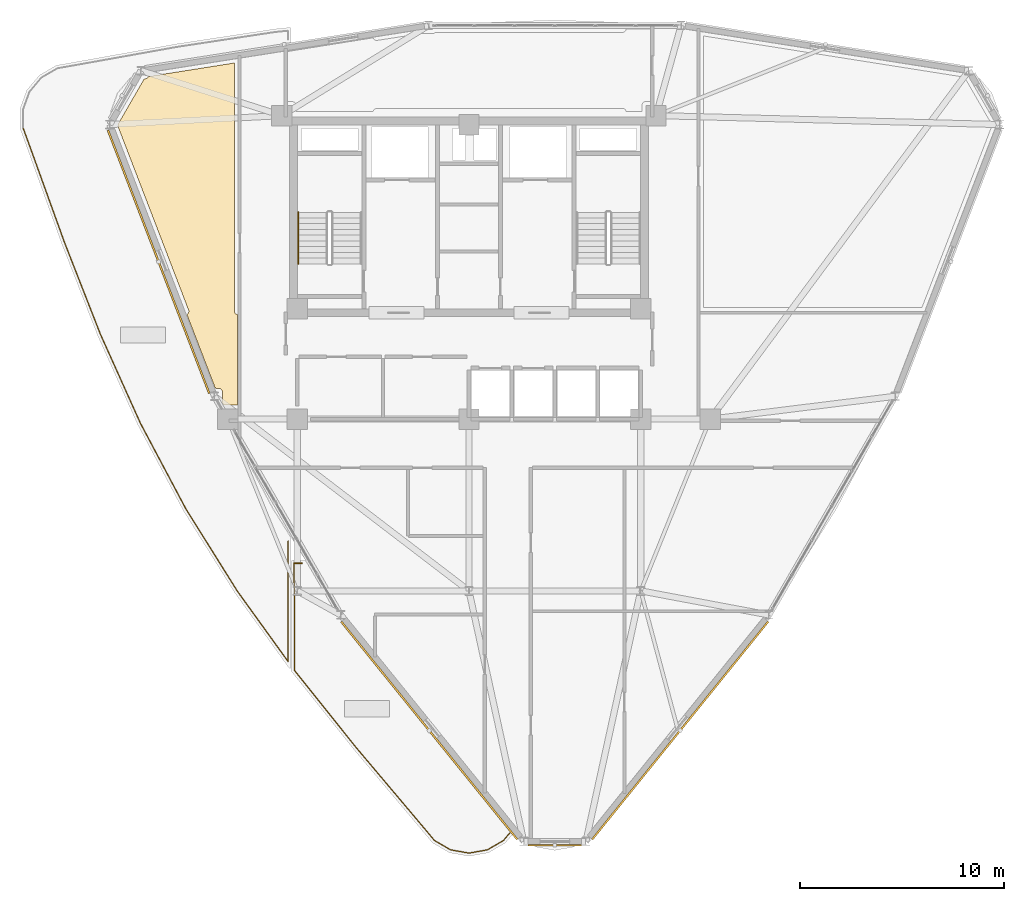
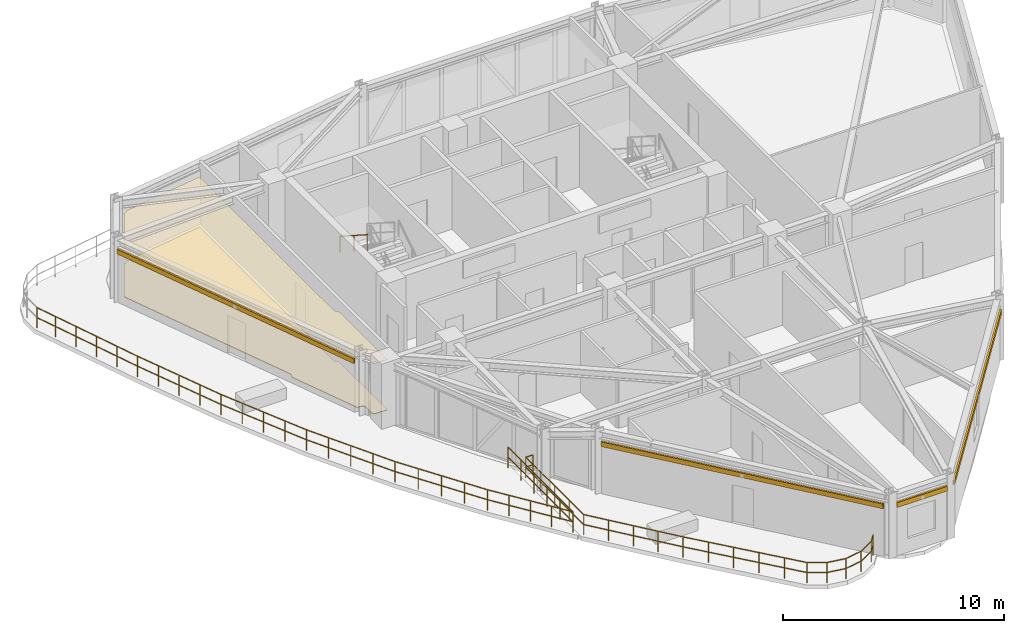
# One storey, part 17 of 19: 4 railings, 4 shading devices, 2 coverings.
"""IFC4 building model written with IfcOpenShell, lengths in metres."""

from ifc_helpers import new_model, si_unit, derived_unit, direction, frame, origin, origin_2d, place, context, subcontext, project, spatial, polyline, hollow_rectangle, circle, outline, extrude, source, transform, mapped, material, layer, layer_set, material_profile, profile_set, type_object, element, save


model = new_model("IFC4")

# Units and contexts
model_context = context("Model", 3, precision=1e-05, world=origin(), true_north=direction((0.0, 1.0)))
body_context = subcontext(model_context, "Body", "Model", "MODEL_VIEW")
ifc_project = project(units=[si_unit("LENGTHUNIT", "METRE"), si_unit("AREAUNIT", "SQUARE_METRE"), si_unit("VOLUMEUNIT", "CUBIC_METRE"), si_unit("PLANEANGLEUNIT", "RADIAN"), si_unit("MASSUNIT", "GRAM", prefix="KILO"), derived_unit("THERMALTRANSMITTANCEUNIT", [(si_unit("POWERUNIT", "WATT"), 1), (si_unit("LENGTHUNIT", "METRE"), -2), (si_unit("THERMODYNAMICTEMPERATUREUNIT", "KELVIN"), -1)])], contexts=[model_context])

# Site, building, storey
site_placement = place(None, origin())
site = spatial("IfcSite", under=ifc_project, at=site_placement, CompositionType="ELEMENT")
building_placement = place(site_placement, origin())
building = spatial("IfcBuilding", under=site, at=building_placement, Name="Korsvarv Bourse and Concert Hall", CompositionType="ELEMENT")
storey_placement = place(building_placement, frame((0.0, 0.0, 205.800048828125)))
storey = spatial("IfcBuildingStorey", under=building, at=storey_placement, Name="L53", CompositionType="ELEMENT", Elevation=205.800048828125)

# Coverings
ifc_material_1 = material(Name="Perforated mineral-wool and birch acoustic baffle ceiling", Category="wood")
ifc_layer_1 = layer(ifc_material_1, 0.02490234375)
ifc_layer_set_1 = layer_set([ifc_layer_1], Name="Perforated mineral-wool and birch acoustic baffle ceiling")
covering_type_1 = type_object("IfcCoveringType", Name="COV-CEIL-1", PredefinedType="CEILING", material=ifc_layer_set_1)
covering_1_placement = place(storey_placement, frame((0.0, 0.0, 2.7900390625)))
element("IfcCovering", 1, at=covering_1_placement, inside=storey, type_object=covering_type_1, Name="L53 acoustic baffle ceiling 3", PredefinedType="CEILING", context=body_context, shape_type="SweptSolid", body=[
    extrude(outline(polyline([(24.52001953125, 49.822509765625), (24.52001953125, 37.68994140625), (24.523681640625, 37.65380859375), (24.53466796875, 37.618896484375), (24.55224609375, 37.587158203125), (24.575927734375, 37.5595703125), (24.604736328125, 37.537353515625), (24.637451171875, 37.521240234375), (24.672607421875, 37.51220703125), (24.679931640625, 33.080322265625), (24.004150390625, 33.088623046875), (23.919189453125, 33.236083984375), (23.927001953125, 33.26171875), (23.93115234375, 33.296142578125), (23.941162109375, 33.72216796875), (23.938720703125, 33.757080078125), (23.92919921875, 33.790771484375), (23.91357421875, 33.822265625), (23.89208984375, 33.849853515625), (23.865478515625, 33.872802734375), (23.835205078125, 33.890380859375), (23.802001953125, 33.901611328125), (23.767333984375, 33.90625), (23.589599609375, 33.912109375), (22.2001953125, 37.52001953125), (22.22119140625, 37.533203125), (22.248046875, 37.557373046875), (22.269287109375, 37.58642578125), (22.284423828125, 37.618896484375), (22.29296875, 37.654052734375), (22.294189453125, 37.690185546875), (22.2880859375, 37.7255859375), (18.822998046875, 46.73681640625), (18.822998046875, 46.81201171875), (20.11474609375, 49.0498046875), (20.15478515625, 49.0498046875), (20.189697265625, 49.05322265625), (20.22314453125, 49.063232421875), (20.254150390625, 49.07958984375), (20.28125, 49.1015625), (20.3037109375, 49.12841796875), (20.320556640625, 49.1591796875), (24.52001953125, 49.822509765625)])), origin(), (0.0, 0.0, 1.0), 0.02490234375),
])
ifc_material_2 = material(Name="Calcium-sulphate raised access trading floor with Nordic oak top", Category="wood")
ifc_layer_2 = layer(ifc_material_2, 0.0400390625)
ifc_layer_set_2 = layer_set([ifc_layer_2], Name="Calcium-sulphate raised access trading floor with Nordic oak top")
covering_type_2 = type_object("IfcCoveringType", Name="COV-FLOR-1", PredefinedType="FLOORING", material=ifc_layer_set_2)
covering_2_placement = place(storey_placement, origin())
element("IfcCovering", 2, at=covering_2_placement, inside=storey, type_object=covering_type_2, Name="L53 raised access oak floor finish 3", PredefinedType="FLOORING", context=body_context, shape_type="SweptSolid", body=[
    extrude(outline(polyline([(24.52001953125, 49.822509765625), (24.52001953125, 37.68994140625), (24.523681640625, 37.65380859375), (24.53466796875, 37.618896484375), (24.55224609375, 37.587158203125), (24.575927734375, 37.5595703125), (24.604736328125, 37.537353515625), (24.637451171875, 37.521240234375), (24.672607421875, 37.51220703125), (24.679931640625, 33.080322265625), (24.004150390625, 33.088623046875), (23.919189453125, 33.236083984375), (23.927001953125, 33.26171875), (23.93115234375, 33.296142578125), (23.941162109375, 33.72216796875), (23.938720703125, 33.757080078125), (23.92919921875, 33.790771484375), (23.91357421875, 33.822265625), (23.89208984375, 33.849853515625), (23.865478515625, 33.872802734375), (23.835205078125, 33.890380859375), (23.802001953125, 33.901611328125), (23.767333984375, 33.90625), (23.589599609375, 33.912109375), (22.2001953125, 37.52001953125), (22.22119140625, 37.533203125), (22.248046875, 37.557373046875), (22.269287109375, 37.58642578125), (22.284423828125, 37.618896484375), (22.29296875, 37.654052734375), (22.294189453125, 37.690185546875), (22.2880859375, 37.7255859375), (18.822998046875, 46.73681640625), (18.822998046875, 46.81201171875), (20.11474609375, 49.0498046875), (20.15478515625, 49.0498046875), (20.189697265625, 49.05322265625), (20.22314453125, 49.063232421875), (20.254150390625, 49.07958984375), (20.28125, 49.1015625), (20.3037109375, 49.12841796875), (20.320556640625, 49.1591796875), (24.52001953125, 49.822509765625)])), origin(), (0.0, 0.0, 1.0), 0.0400390625),
])

# Railings
ifc_material_3 = material(Name="Laminated safety glass and stainless Steel S355 balustrade", Category="steel")
railing_type_1 = type_object("IfcRailingType", Name="RL-BAL-EXT", PredefinedType="BALUSTRADE", material=ifc_material_3)
railing_1_placement = place(storey_placement, frame((27.14990234375, 26.435546875, 0.0)))
element("IfcRailing", 3, at=railing_1_placement, inside=storey, type_object=railing_type_1, Name="L53 terrace perimeter balustrade SKYG1-2", PredefinedType="BALUSTRADE", context=body_context, shape_type="SweptSolid", body=[
    extrude(circle(Radius=0.02392578125, at=origin_2d()), frame((0.0, 0.0, 1.1259765625), z_axis=(0.0, -1.0, 0.0), x_axis=(1.0, 0.0, 0.0)), (0.0, 0.0, 1.0), 5.891845703125),
    extrude(circle(Radius=0.02392578125, at=origin_2d()), frame((0.0, 0.0, 0.574951171875), z_axis=(0.0, -1.0, 0.0), x_axis=(1.0, 0.0, 0.0)), (0.0, 0.0, 1.0), 5.891845703125),
    extrude(circle(Radius=0.02392578125, at=origin_2d()), frame((0.0, -5.891845703125, 1.1259765625), z_axis=(-0.584830634242, 0.811155428542, 0.0), x_axis=(-0.811155428542, -0.584830634242, 0.0)), (0.0, 0.0, 1.0), 4.24267578125),
    extrude(circle(Radius=0.02392578125, at=origin_2d()), frame((0.0, -5.891845703125, 0.574951171875), z_axis=(-0.584830634242, 0.811155428542, 0.0), x_axis=(-0.811155428542, -0.584830634242, 0.0)), (0.0, 0.0, 1.0), 4.24267578125),
    extrude(circle(Radius=0.02392578125, at=origin_2d()), frame((-2.481201171875, -2.450439453125, 1.1259765625), z_axis=(-0.530531018152, 0.847665522938, 0.0), x_axis=(-0.847665522938, -0.530531018152, 0.0)), (0.0, 0.0, 1.0), 4.7421875),
    extrude(circle(Radius=0.02392578125, at=origin_2d()), frame((-2.481201171875, -2.450439453125, 0.574951171875), z_axis=(-0.530531018152, 0.847665522938, 0.0), x_axis=(-0.847665522938, -0.530531018152, 0.0)), (0.0, 0.0, 1.0), 4.7421875),
    extrude(circle(Radius=0.02392578125, at=origin_2d()), frame((-4.9970703125, 1.5693359375, 1.1259765625), z_axis=(-0.468831420619, 0.883287664943, 0.0), x_axis=(-0.883287664943, -0.468831420619, 0.0)), (0.0, 0.0, 1.0), 4.741455078125),
    extrude(circle(Radius=0.02392578125, at=origin_2d()), frame((-4.9970703125, 1.5693359375, 0.574951171875), z_axis=(-0.468831420619, 0.883287664943, 0.0), x_axis=(-0.883287664943, -0.468831420619, 0.0)), (0.0, 0.0, 1.0), 4.741455078125),
    extrude(circle(Radius=0.02392578125, at=origin_2d()), frame((-7.219970703125, 5.75732421875, 1.1259765625), z_axis=(-0.410045608175, 0.912065019182, 0.0), x_axis=(-0.912065019182, -0.410045608175, 0.0)), (0.0, 0.0, 1.0), 4.772705078125),
    extrude(circle(Radius=0.02392578125, at=origin_2d()), frame((-7.219970703125, 5.75732421875, 0.574951171875), z_axis=(-0.410045608175, 0.912065019182, 0.0), x_axis=(-0.912065019182, -0.410045608175, 0.0)), (0.0, 0.0, 1.0), 4.772705078125),
    extrude(circle(Radius=0.02392578125, at=origin_2d()), frame((-9.177001953125, 10.1103515625, 1.1259765625), z_axis=(-0.364397442159, 0.931243525695, 0.0), x_axis=(-0.931243525695, -0.364397442159, 0.0)), (0.0, 0.0, 1.0), 4.82861328125),
    extrude(circle(Radius=0.02392578125, at=origin_2d()), frame((-9.177001953125, 10.1103515625, 0.574951171875), z_axis=(-0.364397442159, 0.931243525695, 0.0), x_axis=(-0.931243525695, -0.364397442159, 0.0)), (0.0, 0.0, 1.0), 4.82861328125),
    extrude(circle(Radius=0.02392578125, at=origin_2d()), frame((-10.9365234375, 14.60693359375, 1.1259765625), z_axis=(-0.339499027407, 0.940606405671, 0.0), x_axis=(-0.940606405671, -0.339499027407, 0.0)), (0.0, 0.0, 1.0), 4.86767578125),
    extrude(circle(Radius=0.02392578125, at=origin_2d()), frame((-10.9365234375, 14.60693359375, 0.574951171875), z_axis=(-0.339499027407, 0.940606405671, 0.0), x_axis=(-0.940606405671, -0.339499027407, 0.0)), (0.0, 0.0, 1.0), 4.86767578125),
    extrude(circle(Radius=0.02392578125, at=origin_2d()), frame((-12.589111328125, 19.185546875, 1.1259765625), z_axis=(-0.342065319248, 0.939676176865, 0.0), x_axis=(-0.939676176865, -0.342065319248, 0.0)), (0.0, 0.0, 1.0), 1.094970703125),
    extrude(circle(Radius=0.02392578125, at=origin_2d()), frame((-12.589111328125, 19.185546875, 0.574951171875), z_axis=(-0.342065319248, 0.939676176865, 0.0), x_axis=(-0.939676176865, -0.342065319248, 0.0)), (0.0, 0.0, 1.0), 1.094970703125),
    extrude(circle(Radius=0.02099609375, at=origin_2d()), origin(), (0.0, 0.0, 1.0), 1.101806640625),
    extrude(circle(Radius=0.02099609375, at=origin_2d()), frame((0.0, -1.178466796875, 0.0)), (0.0, 0.0, 1.0), 1.101806640625),
    extrude(circle(Radius=0.02099609375, at=origin_2d()), frame((0.0, -2.356689453125, 0.0)), (0.0, 0.0, 1.0), 1.101806640625),
    extrude(circle(Radius=0.02099609375, at=origin_2d()), frame((0.0, -3.53515625, 0.0)), (0.0, 0.0, 1.0), 1.101806640625),
    extrude(circle(Radius=0.02099609375, at=origin_2d()), frame((0.0, -4.71337890625, 0.0)), (0.0, 0.0, 1.0), 1.101806640625),
    extrude(circle(Radius=0.02099609375, at=origin_2d()), frame((0.0, -5.891845703125, 0.0)), (0.0, 0.0, 1.0), 1.101806640625),
    extrude(circle(Radius=0.02099609375, at=origin_2d()), frame((-0.620361328125, -5.031494140625, 0.0)), (0.0, 0.0, 1.0), 1.101806640625),
    extrude(circle(Radius=0.02099609375, at=origin_2d()), frame((-1.24072265625, -4.171142578125, 0.0)), (0.0, 0.0, 1.0), 1.101806640625),
    extrude(circle(Radius=0.02099609375, at=origin_2d()), frame((-1.86083984375, -3.310791015625, 0.0)), (0.0, 0.0, 1.0), 1.101806640625),
    extrude(circle(Radius=0.02099609375, at=origin_2d()), frame((-2.481201171875, -2.450439453125, 0.0)), (0.0, 0.0, 1.0), 1.101806640625),
    extrude(circle(Radius=0.02099609375, at=origin_2d()), frame((-3.110107421875, -1.445556640625, 0.0)), (0.0, 0.0, 1.0), 1.101806640625),
    extrude(circle(Radius=0.02099609375, at=origin_2d()), frame((-3.7392578125, -0.4404296875, 0.0)), (0.0, 0.0, 1.0), 1.101806640625),
    extrude(circle(Radius=0.02099609375, at=origin_2d()), frame((-4.3681640625, 0.564453125, 0.0)), (0.0, 0.0, 1.0), 1.101806640625),
    extrude(circle(Radius=0.02099609375, at=origin_2d()), frame((-4.9970703125, 1.5693359375, 0.0)), (0.0, 0.0, 1.0), 1.101806640625),
    extrude(circle(Radius=0.02099609375, at=origin_2d()), frame((-5.552734375, 2.6162109375, 0.0)), (0.0, 0.0, 1.0), 1.101806640625),
    extrude(circle(Radius=0.02099609375, at=origin_2d()), frame((-6.1083984375, 3.663330078125, 0.0)), (0.0, 0.0, 1.0), 1.101806640625),
    extrude(circle(Radius=0.02099609375, at=origin_2d()), frame((-6.664306640625, 4.71044921875, 0.0)), (0.0, 0.0, 1.0), 1.101806640625),
    extrude(circle(Radius=0.02099609375, at=origin_2d()), frame((-7.219970703125, 5.75732421875, 0.0)), (0.0, 0.0, 1.0), 1.101806640625),
    extrude(circle(Radius=0.02099609375, at=origin_2d()), frame((-7.709228515625, 6.845703125, 0.0)), (0.0, 0.0, 1.0), 1.101806640625),
    extrude(circle(Radius=0.02099609375, at=origin_2d()), frame((-8.198486328125, 7.933837890625, 0.0)), (0.0, 0.0, 1.0), 1.101806640625),
    extrude(circle(Radius=0.02099609375, at=origin_2d()), frame((-8.687744140625, 9.02197265625, 0.0)), (0.0, 0.0, 1.0), 1.101806640625),
    extrude(circle(Radius=0.02099609375, at=origin_2d()), frame((-9.177001953125, 10.1103515625, 0.0)), (0.0, 0.0, 1.0), 1.101806640625),
    extrude(circle(Radius=0.02099609375, at=origin_2d()), frame((-9.616943359375, 11.234375, 0.0)), (0.0, 0.0, 1.0), 1.101806640625),
    extrude(circle(Radius=0.02099609375, at=origin_2d()), frame((-10.056640625, 12.358642578125, 0.0)), (0.0, 0.0, 1.0), 1.101806640625),
    extrude(circle(Radius=0.02099609375, at=origin_2d()), frame((-10.49658203125, 13.48291015625, 0.0)), (0.0, 0.0, 1.0), 1.101806640625),
    extrude(circle(Radius=0.02099609375, at=origin_2d()), frame((-10.9365234375, 14.60693359375, 0.0)), (0.0, 0.0, 1.0), 1.101806640625),
    extrude(circle(Radius=0.02099609375, at=origin_2d()), frame((-11.349609375, 15.75146484375, 0.0)), (0.0, 0.0, 1.0), 1.101806640625),
    extrude(circle(Radius=0.02099609375, at=origin_2d()), frame((-11.7626953125, 16.896240234375, 0.0)), (0.0, 0.0, 1.0), 1.101806640625),
    extrude(circle(Radius=0.02099609375, at=origin_2d()), frame((-12.176025390625, 18.041015625, 0.0)), (0.0, 0.0, 1.0), 1.101806640625),
    extrude(circle(Radius=0.02099609375, at=origin_2d()), frame((-12.589111328125, 19.185546875, 0.0)), (0.0, 0.0, 1.0), 1.101806640625),
    extrude(circle(Radius=0.02099609375, at=origin_2d()), frame((-12.963623046875, 20.21435546875, 0.0)), (0.0, 0.0, 1.0), 1.101806640625),
])
railing_2_placement = place(storey_placement, frame((27.449951171875, 25.35009765625, 0.0)))
element("IfcRailing", 4, at=railing_2_placement, inside=storey, type_object=railing_type_1, Name="L53 terrace perimeter balustrade SKYG2-1", PredefinedType="BALUSTRADE", context=body_context, shape_type="SweptSolid", body=[
    extrude(circle(Radius=0.02392578125, at=origin_2d()), frame((0.0, 0.0, 1.1259765625), z_axis=(1.0, 0.0, 0.0), x_axis=(0.0, 1.0, 0.0)), (0.0, 0.0, 1.0), 0.379150390625),
    extrude(circle(Radius=0.02392578125, at=origin_2d()), frame((0.0, 0.0, 0.574951171875), z_axis=(1.0, 0.0, 0.0), x_axis=(0.0, 1.0, 0.0)), (0.0, 0.0, 1.0), 0.379150390625),
    extrude(circle(Radius=0.02099609375, at=origin_2d()), origin(), (0.0, 0.0, 1.0), 1.101806640625),
    extrude(circle(Radius=0.02099609375, at=origin_2d()), frame((0.379150390625, 0.0, 0.0)), (0.0, 0.0, 1.0), 1.101806640625),
])
railing_3_placement = place(storey_placement, frame((37.998779296875, 12.1591796875, 0.0)))
element("IfcRailing", 5, at=railing_3_placement, inside=storey, type_object=railing_type_1, Name="L53 terrace perimeter balustrade SKYG2-2", PredefinedType="BALUSTRADE", context=body_context, shape_type="SweptSolid", body=[
    extrude(circle(Radius=0.02392578125, at=origin_2d()), frame((0.0, 0.0, 1.1259765625), z_axis=(-0.642923423564, -0.765930461225, 0.0), x_axis=(0.765930461225, -0.642923423564, 0.0)), (0.0, 0.0, 1.0), 0.490234375),
    extrude(circle(Radius=0.02392578125, at=origin_2d()), frame((0.0, 0.0, 0.574951171875), z_axis=(-0.642923423564, -0.765930461225, 0.0), x_axis=(0.765930461225, -0.642923423564, 0.0)), (0.0, 0.0, 1.0), 0.490234375),
    extrude(circle(Radius=0.02392578125, at=origin_2d()), frame((-0.315185546875, -0.37548828125, 1.1259765625), z_axis=(-0.865970996668, -0.500094224052, 0.0), x_axis=(0.500094224052, -0.865970996668, 0.0)), (0.0, 0.0, 1.0), 0.909423828125),
    extrude(circle(Radius=0.02392578125, at=origin_2d()), frame((-0.315185546875, -0.37548828125, 0.574951171875), z_axis=(-0.865970996668, -0.500094224052, 0.0), x_axis=(0.500094224052, -0.865970996668, 0.0)), (0.0, 0.0, 1.0), 0.909423828125),
    extrude(circle(Radius=0.02392578125, at=origin_2d()), frame((-1.102783203125, -0.830322265625, 1.1259765625), z_axis=(-0.98481326009, -0.173616942583, 0.0), x_axis=(0.173616942583, -0.98481326009, 0.0)), (0.0, 0.0, 1.0), 0.909912109375),
    extrude(circle(Radius=0.02392578125, at=origin_2d()), frame((-1.102783203125, -0.830322265625, 0.574951171875), z_axis=(-0.98481326009, -0.173616942583, 0.0), x_axis=(0.173616942583, -0.98481326009, 0.0)), (0.0, 0.0, 1.0), 0.909912109375),
    extrude(circle(Radius=0.02392578125, at=origin_2d()), frame((-1.998779296875, -0.98828125, 1.1259765625), z_axis=(-0.98481326009, 0.173616942583, 0.0), x_axis=(-0.173616942583, -0.98481326009, 0.0)), (0.0, 0.0, 1.0), 0.909912109375),
    extrude(circle(Radius=0.02392578125, at=origin_2d()), frame((-1.998779296875, -0.98828125, 0.574951171875), z_axis=(-0.98481326009, 0.173616942583, 0.0), x_axis=(-0.173616942583, -0.98481326009, 0.0)), (0.0, 0.0, 1.0), 0.909912109375),
    extrude(circle(Radius=0.02392578125, at=origin_2d()), frame((-2.894775390625, -0.830322265625, 1.1259765625), z_axis=(-0.865970996668, 0.500094224052, 0.0), x_axis=(-0.500094224052, -0.865970996668, 0.0)), (0.0, 0.0, 1.0), 0.909423828125),
    extrude(circle(Radius=0.02392578125, at=origin_2d()), frame((-2.894775390625, -0.830322265625, 0.574951171875), z_axis=(-0.865970996668, 0.500094224052, 0.0), x_axis=(-0.500094224052, -0.865970996668, 0.0)), (0.0, 0.0, 1.0), 0.909423828125),
    extrude(circle(Radius=0.02392578125, at=origin_2d()), frame((-3.682373046875, -0.37548828125, 1.1259765625), z_axis=(-0.642864161378, 0.765980202105, 0.0), x_axis=(-0.765980202105, -0.642864161378, 0.0)), (0.0, 0.0, 1.0), 1.082763671875),
    extrude(circle(Radius=0.02392578125, at=origin_2d()), frame((-3.682373046875, -0.37548828125, 0.574951171875), z_axis=(-0.642864161378, 0.765980202105, 0.0), x_axis=(-0.765980202105, -0.642864161378, 0.0)), (0.0, 0.0, 1.0), 1.082763671875),
    extrude(circle(Radius=0.02392578125, at=origin_2d()), frame((-4.37841796875, 0.453857421875, 1.1259765625), z_axis=(-0.644805225474, 0.764346924637, 0.0), x_axis=(-0.764346924637, -0.644805225474, 0.0)), (0.0, 0.0, 1.0), 4.883056640625),
    extrude(circle(Radius=0.02392578125, at=origin_2d()), frame((-4.37841796875, 0.453857421875, 0.574951171875), z_axis=(-0.644805225474, 0.764346924637, 0.0), x_axis=(-0.764346924637, -0.644805225474, 0.0)), (0.0, 0.0, 1.0), 4.883056640625),
    extrude(circle(Radius=0.02392578125, at=origin_2d()), frame((-7.527099609375, 4.186279296875, 1.1259765625), z_axis=(-0.62431845931, 0.781169931171, 0.0), x_axis=(-0.781169931171, -0.62431845931, 0.0)), (0.0, 0.0, 1.0), 4.82373046875),
    extrude(circle(Radius=0.02392578125, at=origin_2d()), frame((-7.527099609375, 4.186279296875, 0.574951171875), z_axis=(-0.62431845931, 0.781169931171, 0.0), x_axis=(-0.781169931171, -0.62431845931, 0.0)), (0.0, 0.0, 1.0), 4.82373046875),
    extrude(circle(Radius=0.02392578125, at=origin_2d()), frame((-10.53857421875, 7.954345703125, 1.1259765625), z_axis=(-0.001958129492, 0.999998082863, 0.0), x_axis=(-0.999998082863, -0.001958129492, 0.0)), (0.0, 0.0, 1.0), 5.236572265625),
    extrude(circle(Radius=0.02392578125, at=origin_2d()), frame((-10.53857421875, 7.954345703125, 0.574951171875), z_axis=(-0.001958129492, 0.999998082863, 0.0), x_axis=(-0.999998082863, -0.001958129492, 0.0)), (0.0, 0.0, 1.0), 5.236572265625),
    extrude(circle(Radius=0.02099609375, at=origin_2d()), origin(), (0.0, 0.0, 1.0), 1.101806640625),
    extrude(circle(Radius=0.02099609375, at=origin_2d()), frame((-0.315185546875, -0.37548828125, 0.0)), (0.0, 0.0, 1.0), 1.101806640625),
    extrude(circle(Radius=0.02099609375, at=origin_2d()), frame((-1.102783203125, -0.830322265625, 0.0)), (0.0, 0.0, 1.0), 1.101806640625),
    extrude(circle(Radius=0.02099609375, at=origin_2d()), frame((-1.998779296875, -0.98828125, 0.0)), (0.0, 0.0, 1.0), 1.101806640625),
    extrude(circle(Radius=0.02099609375, at=origin_2d()), frame((-2.894775390625, -0.830322265625, 0.0)), (0.0, 0.0, 1.0), 1.101806640625),
    extrude(circle(Radius=0.02099609375, at=origin_2d()), frame((-3.682373046875, -0.37548828125, 0.0)), (0.0, 0.0, 1.0), 1.101806640625),
    extrude(circle(Radius=0.02099609375, at=origin_2d()), frame((-4.37841796875, 0.453857421875, 0.0)), (0.0, 0.0, 1.0), 1.101806640625),
    extrude(circle(Radius=0.02099609375, at=origin_2d()), frame((-5.16552734375, 1.386962890625, 0.0)), (0.0, 0.0, 1.0), 1.101806640625),
    extrude(circle(Radius=0.02099609375, at=origin_2d()), frame((-5.95263671875, 2.320068359375, 0.0)), (0.0, 0.0, 1.0), 1.101806640625),
    extrude(circle(Radius=0.02099609375, at=origin_2d()), frame((-6.739990234375, 3.253173828125, 0.0)), (0.0, 0.0, 1.0), 1.101806640625),
    extrude(circle(Radius=0.02099609375, at=origin_2d()), frame((-7.527099609375, 4.186279296875, 0.0)), (0.0, 0.0, 1.0), 1.101806640625),
    extrude(circle(Radius=0.02099609375, at=origin_2d()), frame((-8.280029296875, 5.12841796875, 0.0)), (0.0, 0.0, 1.0), 1.101806640625),
    extrude(circle(Radius=0.02099609375, at=origin_2d()), frame((-9.03271484375, 6.0703125, 0.0)), (0.0, 0.0, 1.0), 1.101806640625),
    extrude(circle(Radius=0.02099609375, at=origin_2d()), frame((-9.78564453125, 7.01220703125, 0.0)), (0.0, 0.0, 1.0), 1.101806640625),
    extrude(circle(Radius=0.02099609375, at=origin_2d()), frame((-10.53857421875, 7.954345703125, 0.0)), (0.0, 0.0, 1.0), 1.101806640625),
    extrude(circle(Radius=0.02099609375, at=origin_2d()), frame((-10.541015625, 9.263427734375, 0.0)), (0.0, 0.0, 1.0), 1.101806640625),
    extrude(circle(Radius=0.02099609375, at=origin_2d()), frame((-10.543701171875, 10.57275390625, 0.0)), (0.0, 0.0, 1.0), 1.101806640625),
    extrude(circle(Radius=0.02099609375, at=origin_2d()), frame((-10.54638671875, 11.8818359375, 0.0)), (0.0, 0.0, 1.0), 1.101806640625),
    extrude(circle(Radius=0.02099609375, at=origin_2d()), frame((-10.548828125, 13.19091796875, 0.0)), (0.0, 0.0, 1.0), 1.101806640625),
])
ifc_material_4 = material(Name="Brushed stainless Steel S355 tubular handrail", Category="steel")
railing_type_2 = type_object("IfcRailingType", Name="RL-ST-HND", PredefinedType="HANDRAIL", material=ifc_material_4)
railing_4_placement = place(storey_placement, frame((27.64990234375, 42.52001953125, 1.97998046875)))
element("IfcRailing", 6, at=railing_4_placement, inside=storey, type_object=railing_type_2, Name="L53 ST-T1 stair handrail 2", PredefinedType="HANDRAIL", context=body_context, shape_type="SweptSolid", body=[
    extrude(circle(Radius=0.02392578125, at=origin_2d()), frame((0.0, 0.0, 0.8759765625), z_axis=(0.0, -0.841199657755, 0.540724639528), x_axis=(1.0, 0.0, 0.0)), (0.0, 0.0, 1.0), 2.995849609375),
    extrude(circle(Radius=0.02099609375, at=origin_2d()), origin(), (0.0, 0.0, 1.0), 0.851806640625),
    extrude(circle(Radius=0.02099609375, at=origin_2d()), frame((0.0, -1.260009765625, 0.81005859375)), (0.0, 0.0, 1.0), 0.851806640625),
    extrude(circle(Radius=0.02099609375, at=origin_2d()), frame((0.0, -2.52001953125, 1.619873046875)), (0.0, 0.0, 1.0), 0.851806640625),
])

# Shading devices
ifc_material_5 = material(Name="Glazed extruded architectural terracotta", Category="ceramic")
ifc_material_profile = material_profile(ifc_material_5, hollow_rectangle(XDim=0.090087890625, YDim=0.260009765625, WallThickness=0.011962890625, at=origin_2d()), Name="TC-BAG 90x260")
ifc_profile_set = profile_set([ifc_material_profile], Name="Glazed extruded architectural terracotta")
shading_device_type = type_object("IfcShadingDeviceType", Name="SHD-BAG-1", PredefinedType="USERDEFINED", material=ifc_profile_set)
shared_shape_1 = source(origin(), body_context, "Body", "SweptSolid", [
    extrude(hollow_rectangle(XDim=0.090087890625, YDim=0.260009765625, WallThickness=0.011962890625, at=origin_2d()), origin(), (0.0, 0.0, 1.0), 13.7880859375),
])
shading_device_1_placement = place(storey_placement, frame((18.33935546875, 46.531982421875, 2.85986328125), z_axis=(0.359321962573, -0.933213655715, 0.0), x_axis=(0.933213655715, 0.359321962573, 0.0)))
element("IfcShadingDevice", 7, at=shading_device_1_placement, inside=storey, type_object=shading_device_type, Name="L53 terracotta baguette sunshade EW-L53-B06", ObjectType="BAGUETTE", PredefinedType="USERDEFINED", context=body_context, shape_type="MappedRepresentation", body=[
    mapped(shared_shape_1, transform((0.0, 0.0, 0.0), scale=1.0)),
])
shared_shape_2 = source(origin(), body_context, "Body", "SweptSolid", [
    extrude(hollow_rectangle(XDim=0.090087890625, YDim=0.260009765625, WallThickness=0.011962890625, at=origin_2d()), origin(), (0.0, 0.0, 1.0), 13.69677734375),
])
shading_device_2_placement = place(storey_placement, frame((29.753173828125, 22.49072265625, 2.800048828125), z_axis=(0.628515496786, -0.777797062414, 0.0), x_axis=(0.777797062414, 0.628515496786, 0.0)))
element("IfcShadingDevice", 8, at=shading_device_2_placement, inside=storey, type_object=shading_device_type, Name="L53 terracotta baguette sunshade EW-L53-B08", ObjectType="BAGUETTE", PredefinedType="USERDEFINED", context=body_context, shape_type="MappedRepresentation", body=[
    mapped(shared_shape_2, transform((0.0, 0.0, 0.0), scale=1.0)),
])
shared_shape_3 = source(origin(), body_context, "Body", "SweptSolid", [
    extrude(hollow_rectangle(XDim=0.090087890625, YDim=0.260009765625, WallThickness=0.011962890625, at=origin_2d()), origin(), (0.0, 0.0, 1.0), 2.628173828125),
])
shading_device_3_placement = place(storey_placement, frame((38.885986328125, 11.555908203125, 2.85986328125), z_axis=(1.0, 0.0, 0.0), x_axis=(0.0, 1.0, 0.0)))
element("IfcShadingDevice", 9, at=shading_device_3_placement, inside=storey, type_object=shading_device_type, Name="L53 terracotta baguette sunshade EW-L53-B09", ObjectType="BAGUETTE", PredefinedType="USERDEFINED", context=body_context, shape_type="MappedRepresentation", body=[
    mapped(shared_shape_3, transform((0.0, 0.0, 0.0), scale=1.0)),
])
shared_shape_4 = source(origin(), body_context, "Body", "SweptSolid", [
    extrude(hollow_rectangle(XDim=0.090087890625, YDim=0.260009765625, WallThickness=0.011962890625, at=origin_2d()), origin(), (0.0, 0.0, 1.0), 13.697021484375),
])
shading_device_4_placement = place(storey_placement, frame((42.0302734375, 11.84375, 2.800048828125), z_axis=(0.628526279962, 0.777788348716, 0.0), x_axis=(-0.777788348716, 0.628526279962, 0.0)))
element("IfcShadingDevice", 10, at=shading_device_4_placement, inside=storey, type_object=shading_device_type, Name="L53 terracotta baguette sunshade EW-L53-B10", ObjectType="BAGUETTE", PredefinedType="USERDEFINED", context=body_context, shape_type="MappedRepresentation", body=[
    mapped(shared_shape_4, transform((0.0, 0.0, 0.0), scale=1.0)),
])

save(model, "model.ifc")
